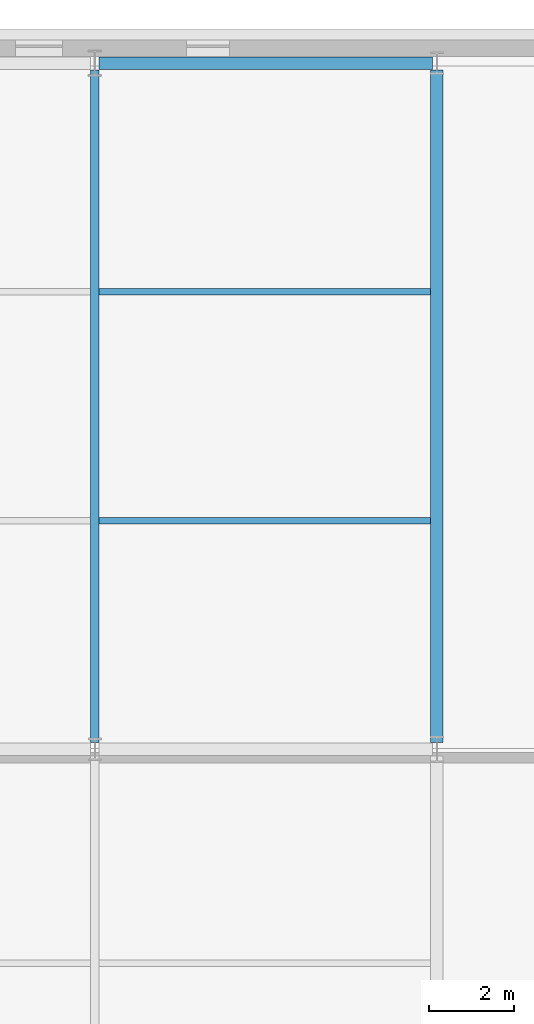
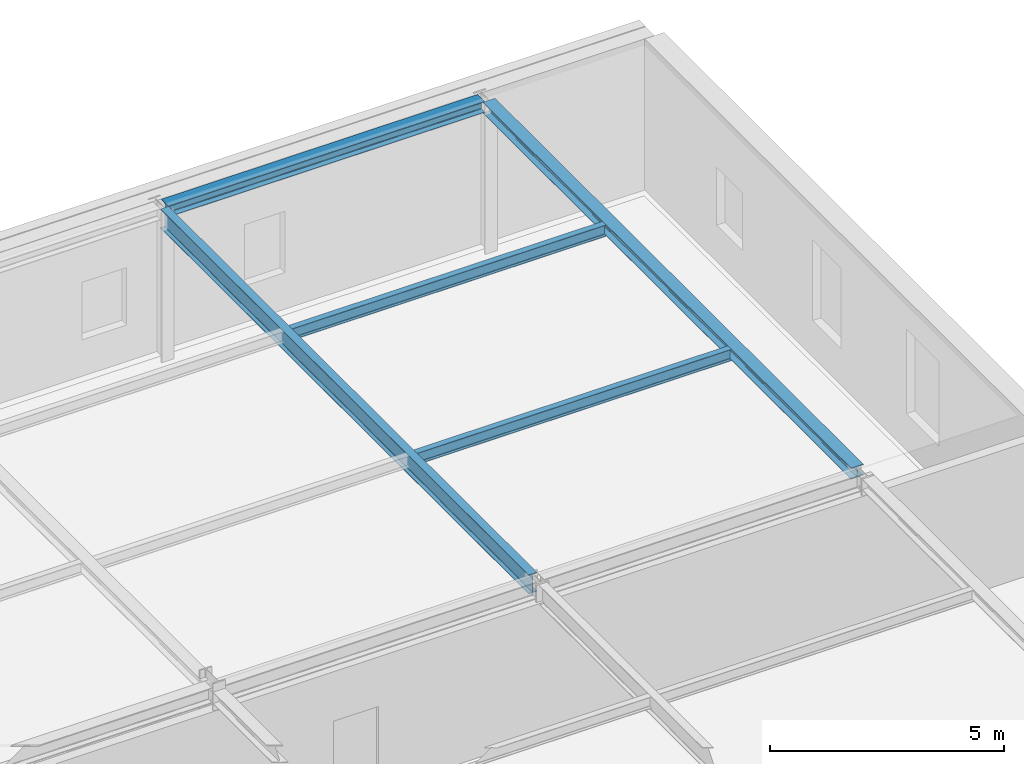
# One storey, part 90 of 148: 5 beams.
"""IFC4 building model written with IfcOpenShell, lengths in metres."""

from ifc_helpers import new_model, si_unit, direction, frame, origin, origin_2d, place, context, subcontext, project, spatial, i_section, extrude, material, material_profile, profile_set, type_object, element, save


model = new_model("IFC4")

# Units and contexts
model_context = context("Model", 3, precision=1e-05, world=origin(), true_north=direction((0.0, 1.0)))
body_context = subcontext(model_context, "Body", "Model", "MODEL_VIEW")
ifc_project = project(units=[si_unit("LENGTHUNIT", "METRE"), si_unit("AREAUNIT", "SQUARE_METRE"), si_unit("VOLUMEUNIT", "CUBIC_METRE"), si_unit("PLANEANGLEUNIT", "RADIAN"), si_unit("MASSUNIT", "GRAM", prefix="KILO"), si_unit("THERMODYNAMICTEMPERATUREUNIT", "KELVIN"), si_unit("POWERUNIT", "WATT")], contexts=[model_context])

# Site, building, storey
site_placement = place(None, origin())
site = spatial("IfcSite", under=ifc_project, at=site_placement, CompositionType="ELEMENT")
building_placement = place(site_placement, origin())
building = spatial("IfcBuilding", under=site, at=building_placement, Name="Solvatero Civic Police Headquarters", CompositionType="ELEMENT")
storey_placement = place(building_placement, frame((0.0, 0.0, 5.10009765625)))
storey = spatial("IfcBuildingStorey", under=building, at=storey_placement, Name="L01", CompositionType="ELEMENT", Elevation=5.10009765625)

# Beams
ifc_material = material(Name="Steel S355", Category="steel")
ifc_material_profile_1 = material_profile(ifc_material, i_section(OverallWidth=0.300048828125, OverallDepth=0.2900390625, WebThickness=0.008544921875, FlangeThickness=0.013916015625, FilletRadius=0.027099609375, at=origin_2d()), Name="HEA 300")
ifc_profile_set_1 = profile_set([ifc_material_profile_1], Name="Steel S355")
beam_type_1 = type_object("IfcBeamType", Name="BM-ST-HEA300", PredefinedType="SPANDREL", material=ifc_profile_set_1)
beam_1_placement = place(storey_placement, frame((72.10009765625, 116.550048828125, 3.794921875), z_axis=(1.0, 0.0, 0.0), x_axis=(0.0, 1.0, 0.0)))
element("IfcBeam", 1, at=beam_1_placement, inside=storey, type_object=beam_type_1, Name="Perimeter / radial spandrel beam BM-R2-L01-V7E-GX-2-3", PredefinedType="SPANDREL", context=body_context, shape_type="SweptSolid", body=[
    extrude(i_section(OverallWidth=0.300048828125, OverallDepth=0.2900390625, WebThickness=0.008544921875, FlangeThickness=0.013916015625, FilletRadius=0.027099609375, at=origin_2d()), origin(), (0.0, 0.0, 1.0), 7.7998046875),
])
beam_2_placement = place(storey_placement, frame((80.0, 100.659912109375, 3.794921875), z_axis=(0.0, 1.0, 0.0), x_axis=(-1.0, 0.0, 0.0)))
element("IfcBeam", 2, at=beam_2_placement, inside=storey, type_object=beam_type_1, Name="Perimeter / radial spandrel beam BM-R2-L01-V7E-GY-3-2", PredefinedType="SPANDREL", context=body_context, shape_type="SweptSolid", body=[
    extrude(i_section(OverallWidth=0.300048828125, OverallDepth=0.2900390625, WebThickness=0.008544921875, FlangeThickness=0.013916015625, FilletRadius=0.027099609375, at=origin_2d()), origin(), (0.0, 0.0, 1.0), 15.72998046875),
])
ifc_material_profile_2 = material_profile(ifc_material, i_section(OverallWidth=0.14990234375, OverallDepth=0.300048828125, WebThickness=0.007080078125, FlangeThickness=0.0107421875, FilletRadius=0.014892578125, at=origin_2d()), Name="IPE 300")
ifc_profile_set_2 = profile_set([ifc_material_profile_2], Name="Steel S355")
beam_type_2 = type_object("IfcBeamType", Name="BM-ST-IPE300", PredefinedType="BEAM", material=ifc_profile_set_2)
for number, where, z_axis, x_axis, name in (
    (3, (72.10009765625, 105.85009765625, 3.789794921875), (1.0, 0.0, 0.0), (0.0, 1.0, 0.0), "Composite floor beam BM-R2-L01-V7E-SEC-2-2-S1"),
    (4, (72.10009765625, 111.199951171875, 3.789794921875), (1.0, 0.0, 0.0), (0.0, 1.0, 0.0), "Composite floor beam BM-R2-L01-V7E-SEC-2-2-S2"),
):
    element("IfcBeam", number, at=place(storey_placement, frame(where, z_axis=z_axis, x_axis=x_axis)), inside=storey, type_object=beam_type_2, Name=name, PredefinedType="BEAM", context=body_context, shape_type="SweptSolid", body=[
        extrude(i_section(OverallWidth=0.14990234375, OverallDepth=0.300048828125, WebThickness=0.007080078125, FlangeThickness=0.0107421875, FilletRadius=0.014892578125, at=origin_2d()), origin(), (0.0, 0.0, 1.0), 7.75),
    ])
ifc_material_profile_3 = material_profile(ifc_material, i_section(OverallWidth=0.199951171875, OverallDepth=0.5, WebThickness=0.01025390625, FlangeThickness=0.01611328125, FilletRadius=0.02099609375, at=origin_2d()), Name="IPE 500")
ifc_profile_set_3 = profile_set([ifc_material_profile_3], Name="Steel S355")
beam_type_3 = type_object("IfcBeamType", Name="BM-ST-IPE500", PredefinedType="BEAM", material=ifc_profile_set_3)
beam_3_placement = place(storey_placement, frame((72.0, 100.659912109375, 3.68994140625), z_axis=(0.0, 1.0, 0.0), x_axis=(-1.0, 0.0, 0.0)))
element("IfcBeam", 5, at=beam_3_placement, inside=storey, type_object=beam_type_3, Name="Primary girder BM-R2-L01-V7E-GY-2-2", PredefinedType="BEAM", context=body_context, shape_type="SweptSolid", body=[
    extrude(i_section(OverallWidth=0.199951171875, OverallDepth=0.5, WebThickness=0.01025390625, FlangeThickness=0.01611328125, FilletRadius=0.02099609375, at=origin_2d()), origin(), (0.0, 0.0, 1.0), 15.72998046875),
])

save(model, "model.ifc")
